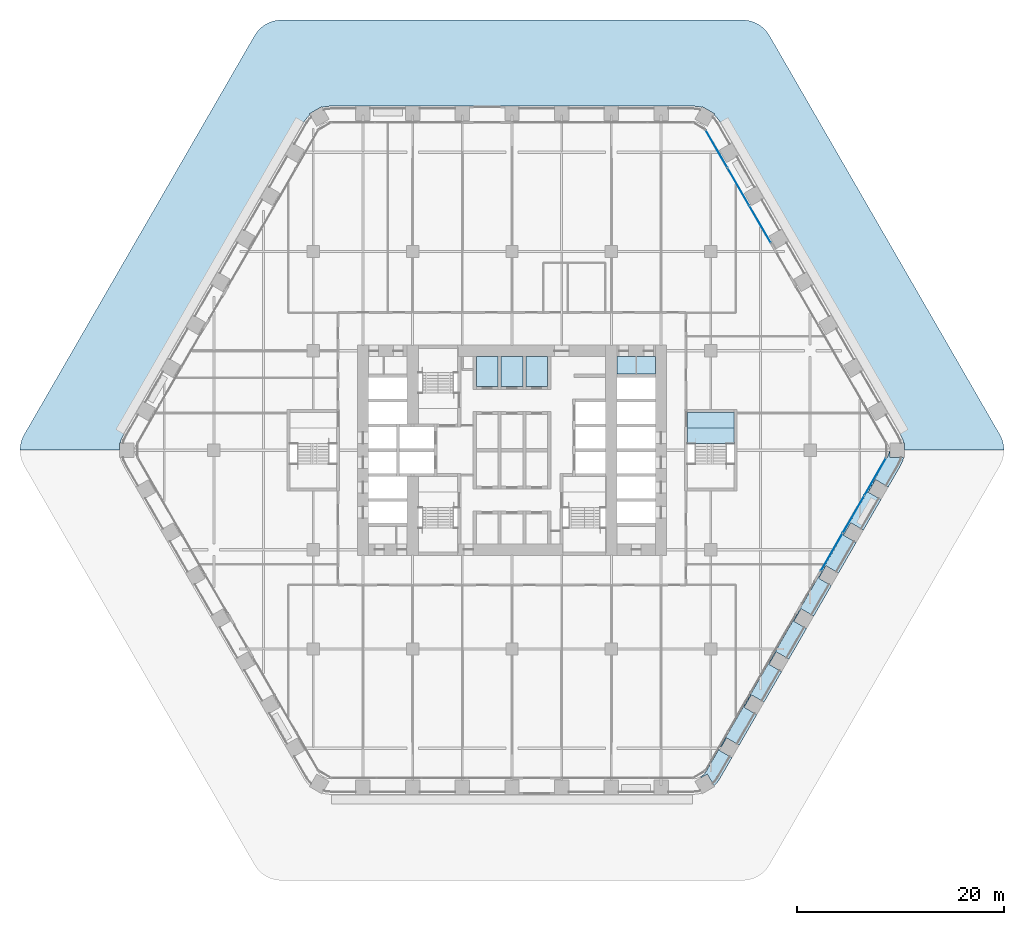
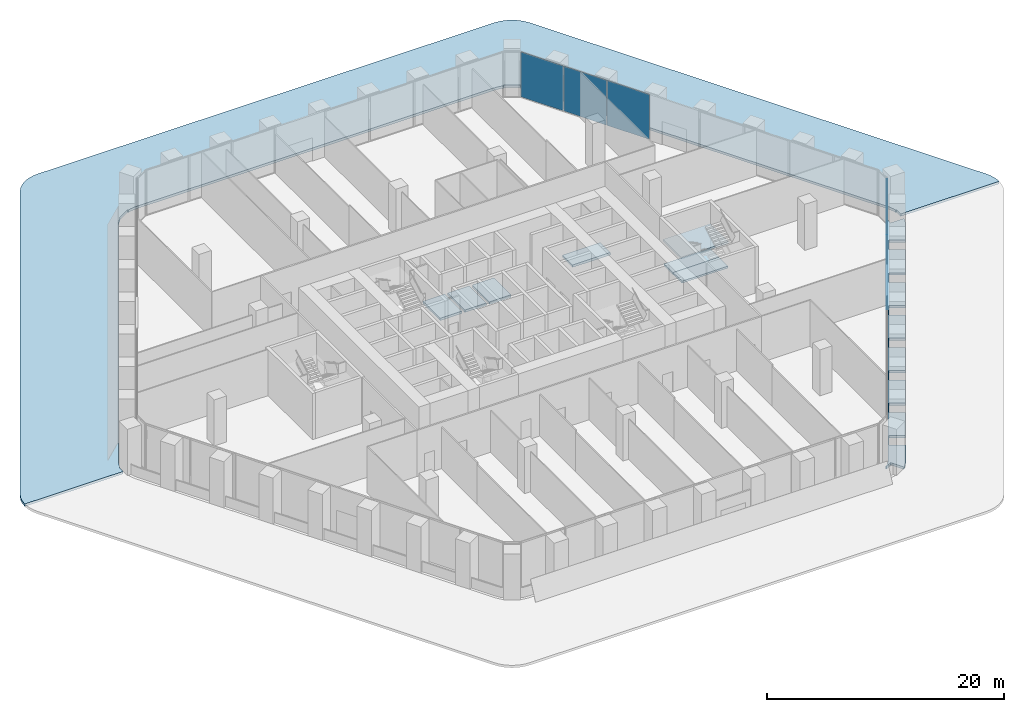
# One storey, part 17 of 29: 9 slabs, 6 plates, 3 elements without a shape of their own.
"""IFC4 building model written with IfcOpenShell, lengths in metres."""

from ifc_helpers import new_model, si_unit, direction, frame, origin, origin_2d, place, context, subcontext, project, spatial, polyline, rectangle, outline, extrude, material, layer, layer_set, type_object, element, aggregate, save


model = new_model("IFC4")

# Units and contexts
model_context = context("Model", 3, precision=1e-05, world=origin(), true_north=direction((0.0, 1.0)))
body_context = subcontext(model_context, "Body", "Model", "MODEL_VIEW")
ifc_project = project(units=[si_unit("LENGTHUNIT", "METRE"), si_unit("AREAUNIT", "SQUARE_METRE"), si_unit("VOLUMEUNIT", "CUBIC_METRE"), si_unit("PLANEANGLEUNIT", "RADIAN"), si_unit("MASSUNIT", "GRAM", prefix="KILO")], contexts=[model_context])

# Site, building, storey
site_placement = place(None, origin())
site = spatial("IfcSite", under=ifc_project, at=site_placement, CompositionType="ELEMENT")
building_placement = place(site_placement, origin())
building = spatial("IfcBuilding", under=site, at=building_placement, Name="Kolab Exchange Tower", CompositionType="ELEMENT")
storey_placement = place(building_placement, frame((0.0, 0.0, 17.39990234375)))
storey = spatial("IfcBuildingStorey", under=building, at=storey_placement, Name="L03", CompositionType="ELEMENT", Elevation=17.39990234375)

# Slabs
ifc_material_1 = material(Name="Concrete C35/45", Category="concrete")
ifc_layer_1 = layer(ifc_material_1, 0.25)
ifc_layer_set_1 = layer_set([ifc_layer_1], Name="Concrete C35/45")
slab_type_1 = type_object("IfcSlabType", Name="FLOOR SLAB 250", PredefinedType="FLOOR", material=ifc_layer_set_1)
slab_1_placement = place(storey_placement, frame((0.0, 0.0, -0.25)))
element("IfcSlab", 1, at=slab_1_placement, inside=storey, type_object=slab_type_1, Name="slab/L03/floor/9", PredefinedType="FLOOR", context=body_context, shape_type="SweptSolid", body=[
    extrude(outline(polyline([(21.449951171875, 3.64990234375), (16.949951171875, 3.64990234375), (16.949951171875, 2.14990234375), (21.449951171875, 2.14990234375), (21.449951171875, 3.64990234375)])), origin(), (0.0, 0.0, 1.0), 0.25),
])
slab_2_placement = place(storey_placement, frame((0.0, 0.0, -0.25)))
element("IfcSlab", 2, at=slab_2_placement, inside=storey, type_object=slab_type_1, Name="slab/L03/floor/13", PredefinedType="FLOOR", context=body_context, shape_type="SweptSolid", body=[
    extrude(outline(polyline([(10.14990234375, 7.35009765625), (13.85009765625, 7.35009765625), (13.85009765625, 9.050048828125), (10.14990234375, 9.050048828125), (10.14990234375, 7.35009765625)])), origin(), (0.0, 0.0, 1.0), 0.25),
])
slab_3_placement = place(storey_placement, frame((0.0, 0.0, -0.25)))
element("IfcSlab", 3, at=slab_3_placement, inside=storey, type_object=slab_type_1, Name="slab/L03/floor/16", PredefinedType="FLOOR", context=body_context, shape_type="SweptSolid", body=[
    extrude(outline(polyline([(-1.050048828125, 9.050048828125), (-1.050048828125, 6.14990234375), (1.050048828125, 6.14990234375), (1.050048828125, 9.050048828125), (-1.050048828125, 9.050048828125)])), origin(), (0.0, 0.0, 1.0), 0.25),
])
slab_4_placement = place(storey_placement, frame((0.0, 0.0, -0.25)))
element("IfcSlab", 4, at=slab_4_placement, inside=storey, type_object=slab_type_1, Name="slab/L03/floor/18", PredefinedType="FLOOR", context=body_context, shape_type="SweptSolid", body=[
    extrude(outline(polyline([(-1.35009765625, 6.14990234375), (-1.35009765625, 9.050048828125), (-3.449951171875, 9.050048828125), (-3.449951171875, 6.14990234375), (-1.35009765625, 6.14990234375)])), origin(), (0.0, 0.0, 1.0), 0.25),
])
slab_5_placement = place(storey_placement, frame((0.0, 0.0, -0.25)))
element("IfcSlab", 5, at=slab_5_placement, inside=storey, type_object=slab_type_1, Name="slab/L03/floor/20", PredefinedType="FLOOR", context=body_context, shape_type="SweptSolid", body=[
    extrude(outline(polyline([(1.35009765625, 6.14990234375), (3.449951171875, 6.14990234375), (3.449951171875, 9.050048828125), (1.35009765625, 9.050048828125), (1.35009765625, 6.14990234375)])), origin(), (0.0, 0.0, 1.0), 0.25),
])
ifc_layer_2 = layer(ifc_material_1, 0.25)
ifc_layer_set_2 = layer_set([ifc_layer_2], Name="Concrete C35/45")
slab_type_2 = type_object("IfcSlabType", Name="LOGGIA SLAB 250", PredefinedType="FLOOR", material=ifc_layer_set_2)
slab_6_placement = place(storey_placement, frame((0.0, 0.0, -0.25)))
element("IfcSlab", 6, at=slab_6_placement, inside=storey, type_object=slab_type_2, Name="slab/L03/loggia/2-0", PredefinedType="FLOOR", context=body_context, shape_type="SweptSolid", body=[
    extrude(outline(polyline([(20.06591796875, -31.75537109375), (21.25, -29.70458984375), (20.03759765625, -29.004638671875), (20.737548828125, -27.792236328125), (21.949951171875, -28.4921875), (23.64990234375, -25.5478515625), (22.4375, -24.84765625), (23.137451171875, -23.63525390625), (24.35009765625, -24.335205078125), (26.050048828125, -21.390869140625), (24.837646484375, -20.69091796875), (25.53759765625, -19.478271484375), (26.75, -20.178466796875), (28.449951171875, -17.23388671875), (27.237548828125, -16.533935546875), (27.9375, -15.321533203125), (29.14990234375, -16.021484375), (30.85009765625, -13.076904296875), (29.637451171875, -12.376953125), (30.337646484375, -11.16455078125), (31.550048828125, -11.864501953125), (33.25, -8.920166015625), (32.03759765625, -8.219970703125), (32.737548828125, -7.007568359375), (33.949951171875, -7.70751953125), (35.64990234375, -4.76318359375), (34.4375, -4.063232421875), (35.137451171875, -2.8505859375), (36.35009765625, -3.55078125), (37.533935546875, -1.5), (37.7548828125, -1.026123046875), (37.84228515625, -0.699951171875), (36.535888671875, -0.699951171875), (36.535888671875, 0.0), (36.435791015625, 0.0), (36.4130859375, -0.260498046875), (36.345458984375, -0.512939453125), (36.23486328125, -0.75), (18.76708984375, -31.00537109375), (18.616943359375, -31.219482421875), (18.43212890625, -31.404541015625), (18.218017578125, -31.554443359375), (18.26806640625, -31.64111328125), (18.874267578125, -31.291015625), (19.52734375, -32.42236328125), (19.76611328125, -32.183837890625), (20.06591796875, -31.75537109375)])), origin(), (0.0, 0.0, 1.0), 0.25),
])

# Stair, slabs
ifc_material_2 = material(Name="Concrete C50/60", Category="concrete")
stair_type = type_object("IfcStairType", Name="STAIR ST4 RISER 156.2", PredefinedType="DOUBLE_RETURN_STAIR", material=ifc_material_2)
stair_placement = place(storey_placement, origin())
stair = element("IfcStair", 7, at=stair_placement, inside=storey, type_object=stair_type, Name="Stair 4", PredefinedType="DOUBLE_RETURN_STAIR")
ifc_layer_3 = layer(ifc_material_2, 0.199951171875)
ifc_layer_set_3 = layer_set([ifc_layer_3], Name="Concrete C50/60")
slab_type_3 = type_object("IfcSlabType", Name="STAIR LANDING 200", PredefinedType="LANDING", material=ifc_layer_set_3)
slab_7_placement = place(storey_placement, frame((0.0, 0.0, -0.199951171875)))
slab_7 = element("IfcSlab", 8, at=slab_7_placement, type_object=slab_type_3, Name="ST4 landing 1", PredefinedType="LANDING", context=body_context, shape_type="SweptSolid", body=[
    extrude(outline(polyline([(16.949951171875, 0.64990234375), (21.449951171875, 0.64990234375), (21.449951171875, 2.14990234375), (16.949951171875, 2.14990234375), (16.949951171875, 0.64990234375)])), origin(), (0.0, 0.0, 1.0), 0.199951171875),
])
slab_8_placement = place(storey_placement, frame((0.0, 0.0, 2.300048828125)))
slab_8 = element("IfcSlab", 9, at=slab_8_placement, type_object=slab_type_3, Name="ST4 landing 3", PredefinedType="LANDING", context=body_context, shape_type="SweptSolid", body=[
    extrude(outline(polyline([(16.889892578125, 0.64990234375), (21.510009765625, 0.64990234375), (21.510009765625, 3.7099609375), (16.889892578125, 3.7099609375), (16.889892578125, 0.64990234375)])), origin(), (0.0, 0.0, 1.0), 0.199951171875),
])
aggregate(stair, [slab_7, slab_8])

# Slab
ifc_layer_4 = layer(ifc_material_1, 0.25)
ifc_layer_set_4 = layer_set([ifc_layer_4], Name="Concrete C35/45")
slab_type_4 = type_object("IfcSlabType", Name="TERRACE SLAB 250 PLANTED", PredefinedType="ROOF", material=ifc_layer_set_4)
slab_9_placement = place(storey_placement, frame((0.0, 0.0, -0.25)))
element("IfcSlab", 10, at=slab_9_placement, inside=storey, type_object=slab_type_4, Name="slab/L02/podium-3/0", PredefinedType="ROOF", context=body_context, shape_type="SweptSolid", body=[
    extrude(outline(polyline([(-47.535888671875, 0.0), (-37.935791015625, 0.0), (-37.935791015625, 0.699951171875), (-37.84228515625, 0.699951171875), (-37.7548828125, 1.026123046875), (-37.533935546875, 1.5), (-23.915771484375, 25.087646484375), (-23.64990234375, 25.5478515625), (-21.949951171875, 28.4921875), (-21.25, 29.70458984375), (-20.06591796875, 31.75537109375), (-19.76611328125, 32.183837890625), (-19.52734375, 32.42236328125), (-19.57421875, 32.50341796875), (-18.968017578125, 32.853515625), (-18.36181640625, 33.203369140625), (-18.31494140625, 33.122314453125), (-17.989013671875, 33.209716796875), (-17.468017578125, 33.25537109375), (-15.10009765625, 33.25537109375), (-13.699951171875, 33.25537109375), (-10.300048828125, 33.25537109375), (-8.89990234375, 33.25537109375), (-5.5, 33.25537109375), (-4.10009765625, 33.25537109375), (-0.699951171875, 33.25537109375), (0.699951171875, 33.25537109375), (4.10009765625, 33.25537109375), (5.5, 33.25537109375), (8.89990234375, 33.25537109375), (10.300048828125, 33.25537109375), (13.699951171875, 33.25537109375), (15.10009765625, 33.25537109375), (17.468017578125, 33.25537109375), (17.989013671875, 33.209716796875), (18.31494140625, 33.122314453125), (18.36181640625, 33.203369140625), (18.968017578125, 32.853515625), (19.57421875, 32.50341796875), (19.52734375, 32.42236328125), (19.76611328125, 32.183837890625), (20.06591796875, 31.75537109375), (21.25, 29.70458984375), (21.949951171875, 28.4921875), (23.64990234375, 25.5478515625), (23.915771484375, 25.087646484375), (37.533935546875, 1.5), (37.7548828125, 1.026123046875), (37.84228515625, 0.699951171875), (37.935791015625, 0.699951171875), (37.935791015625, 0.0), (47.535888671875, 0.0), (47.490234375, 0.52099609375), (47.35498046875, 1.026123046875), (47.134033203125, 1.5), (24.865966796875, 40.0693359375), (24.566162109375, 40.49755859375), (24.1962890625, 40.867431640625), (23.76806640625, 41.167236328125), (23.2939453125, 41.38818359375), (22.788818359375, 41.523681640625), (22.26806640625, 41.5693359375), (-22.26806640625, 41.5693359375), (-22.788818359375, 41.523681640625), (-23.2939453125, 41.38818359375), (-23.76806640625, 41.167236328125), (-24.1962890625, 40.867431640625), (-24.566162109375, 40.49755859375), (-24.865966796875, 40.0693359375), (-47.134033203125, 1.5), (-47.35498046875, 1.026123046875), (-47.490234375, 0.52099609375), (-47.535888671875, 0.0)])), origin(), (0.0, 0.0, 1.0), 0.25),
])

# Curtain wall, plates
ifc_material_3 = material(Name="Aluminium EN AW-6063 T6", Category="aluminium")
curtain_wall_type = type_object("IfcCurtainWallType", Name="UNITISED LOW ZONE CURTAIN WALL", PredefinedType="NOTDEFINED", material=ifc_material_3)
curtain_wall_1_placement = place(storey_placement, origin())
curtain_wall_1 = element("IfcCurtainWall", 11, at=curtain_wall_1_placement, inside=storey, type_object=curtain_wall_type, Name="cw/L03/F2-1", PredefinedType="NOTDEFINED")
ifc_material_4 = material(Name="Clear insulated glazing unit", Category="glass")
ifc_layer_5 = layer(ifc_material_4, 0.02392578125)
ifc_layer_set_5 = layer_set([ifc_layer_5], Name="Clear insulated glazing unit")
plate_type = type_object("IfcPlateType", Name="UNITISED LOW ZONE GLASS PANEL 24", PredefinedType="CURTAIN_PANEL", material=ifc_layer_set_5)
plate_1_placement = place(storey_placement, frame((19.760986328125, 29.1240234375, 0.06005859375), z_axis=(0.0, 0.0, 1.0), x_axis=(0.500000017564, -0.866025393644, 0.0)))
plate_1 = element("IfcPlate", 12, at=plate_1_placement, type_object=plate_type, Name="CW1 panel 1.1", PredefinedType="CURTAIN_PANEL", context=body_context, shape_type="SweptSolid", body=[
    extrude(rectangle(XDim=4.132568359375, YDim=0.02392578125, at=origin_2d()), origin(), (0.0, 0.0, 1.0), 4.6298828125),
])
plate_2_placement = place(storey_placement, frame((21.86474609375, 25.47998046875, 0.06005859375), z_axis=(0.0, 0.0, 1.0), x_axis=(0.500000017564, -0.866025393644, 0.0)))
plate_2 = element("IfcPlate", 13, at=plate_2_placement, type_object=plate_type, Name="CW1 panel 2.1", PredefinedType="CURTAIN_PANEL", context=body_context, shape_type="SweptSolid", body=[
    extrude(rectangle(XDim=4.16259765625, YDim=0.02392578125, at=origin_2d()), origin(), (0.0, 0.0, 1.0), 4.6298828125),
])
plate_3_placement = place(storey_placement, frame((23.968505859375, 21.836181640625, 0.06005859375), z_axis=(0.0, 0.0, 1.0), x_axis=(0.500000017564, -0.866025393644, 0.0)))
plate_3 = element("IfcPlate", 14, at=plate_3_placement, type_object=plate_type, Name="CW1 panel 3.1", PredefinedType="CURTAIN_PANEL", context=body_context, shape_type="SweptSolid", body=[
    extrude(rectangle(XDim=4.132568359375, YDim=0.02392578125, at=origin_2d()), origin(), (0.0, 0.0, 1.0), 4.6298828125),
])
aggregate(curtain_wall_1, [plate_1, plate_2, plate_3])

curtain_wall_2_placement = place(storey_placement, origin())
curtain_wall_2 = element("IfcCurtainWall", 15, at=curtain_wall_2_placement, inside=storey, type_object=curtain_wall_type, Name="cw/L03/F3-1", PredefinedType="NOTDEFINED")
plate_4_placement = place(storey_placement, frame((35.1025390625, -2.551513671875, 0.06005859375), z_axis=(0.0, 0.0, 1.0), x_axis=(-0.499999958358, -0.866025427826, 0.0)))
plate_4 = element("IfcPlate", 16, at=plate_4_placement, type_object=plate_type, Name="CW1 panel 1.1", PredefinedType="CURTAIN_PANEL", context=body_context, shape_type="SweptSolid", body=[
    extrude(rectangle(XDim=4.132568359375, YDim=0.02392578125, at=origin_2d()), origin(), (0.0, 0.0, 1.0), 4.6298828125),
])
plate_5_placement = place(storey_placement, frame((32.998779296875, -6.1953125, 0.06005859375), z_axis=(0.0, 0.0, 1.0), x_axis=(-0.499999958358, -0.866025427826, 0.0)))
plate_5 = element("IfcPlate", 17, at=plate_5_placement, type_object=plate_type, Name="CW1 panel 2.1", PredefinedType="CURTAIN_PANEL", context=body_context, shape_type="SweptSolid", body=[
    extrude(rectangle(XDim=4.16259765625, YDim=0.02392578125, at=origin_2d()), origin(), (0.0, 0.0, 1.0), 4.6298828125),
])
plate_6_placement = place(storey_placement, frame((30.894775390625, -9.83935546875, 0.06005859375), z_axis=(0.0, 0.0, 1.0), x_axis=(-0.499999958358, -0.866025427826, 0.0)))
plate_6 = element("IfcPlate", 18, at=plate_6_placement, type_object=plate_type, Name="CW1 panel 3.1", PredefinedType="CURTAIN_PANEL", context=body_context, shape_type="SweptSolid", body=[
    extrude(rectangle(XDim=4.132568359375, YDim=0.02392578125, at=origin_2d()), origin(), (0.0, 0.0, 1.0), 4.6298828125),
])
aggregate(curtain_wall_2, [plate_4, plate_5, plate_6])

save(model, "model.ifc")
